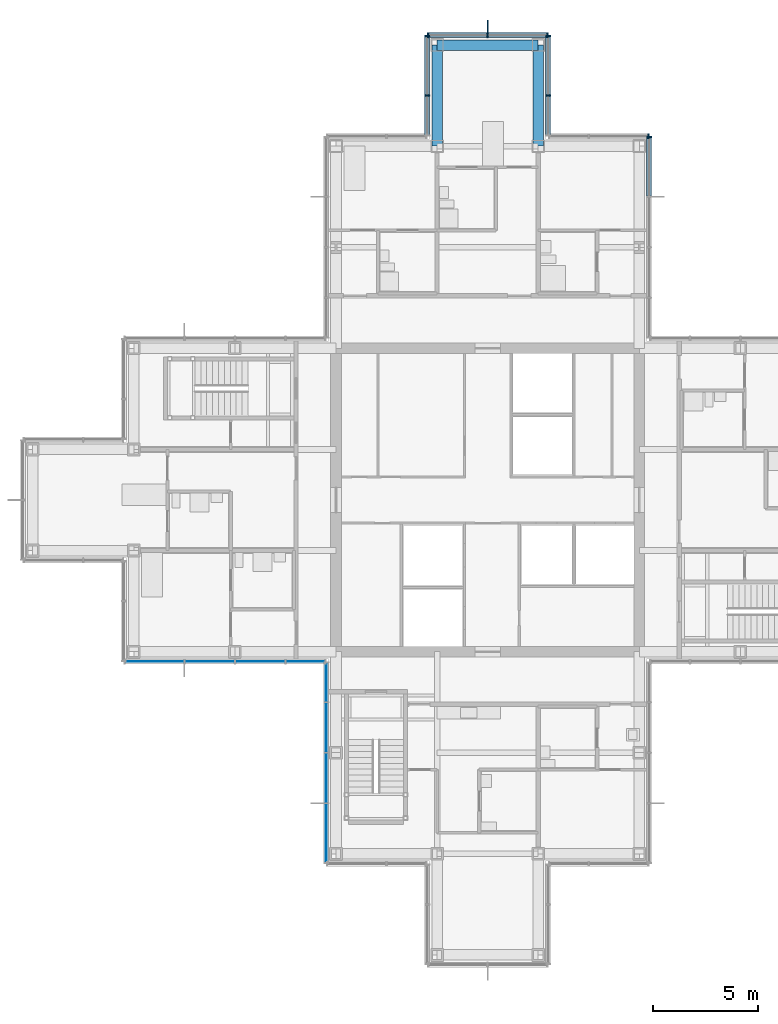
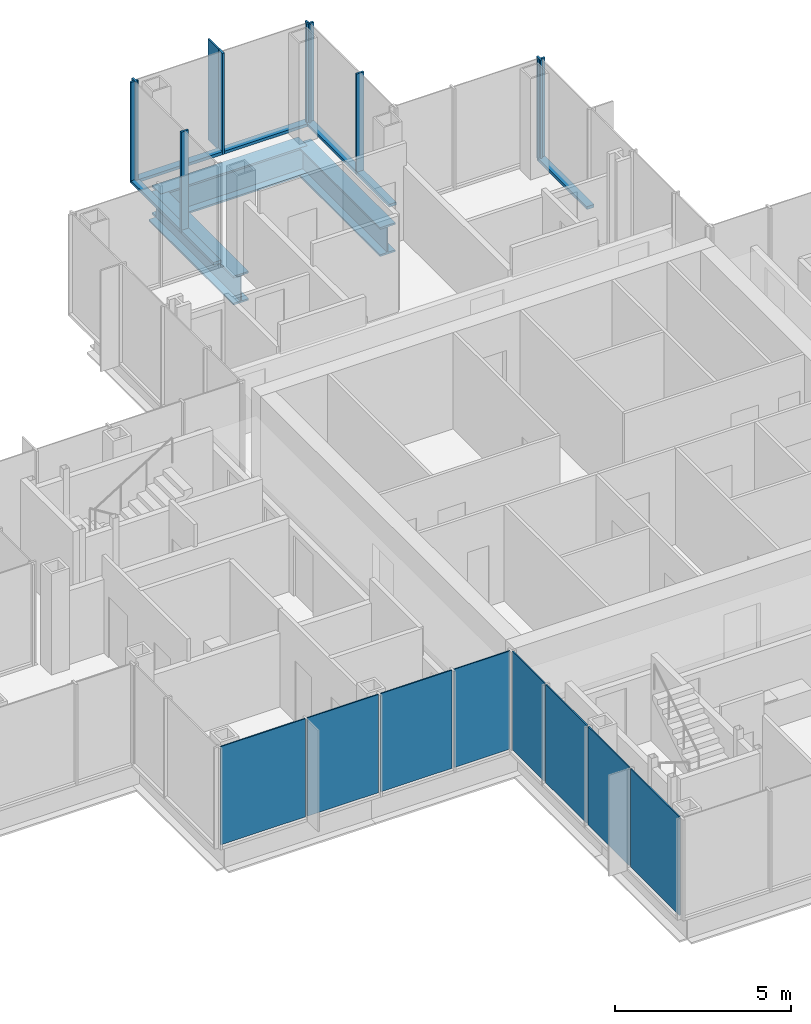
# One storey, part 9 of 17: 17 members, 8 plates, 3 beams, 7 elements without a shape of their own.
"""IFC4 building model written with IfcOpenShell, lengths in metres."""

import ifcopenshell
import ifcopenshell.guid

model = None  # the IFC model being written
_history = None  # IfcOwnerHistory: only IFC2X3 demands one
_inside = {}  # id of a spatial element -> (the spatial element, [elements in it])
_under = {}  # id of a project, library or spatial element -> (it, [spatial elements below it])
_declared = {}  # id of a project -> (the project, [libraries it declares])
_typed = {}  # id of a type object -> (the type object, [elements of that type])
_made_of = {}  # id of a material, layer set ... -> (it, [elements and type objects made of it])


def new_model(schema):
    """Start an empty IFC model of exactly this schema.

    Asked for "IFC4X3", IfcOpenShell would pick the latest addendum, in which some entities
    have other attributes; the version numbers below select the first issue.
    IFC2X3 requires an IfcOwnerHistory on every rooted entity: one is made here for all.
    """
    global model, _history
    if schema == "IFC4X3":
        model = ifcopenshell.file(schema_version=(4, 3, 0, 0))
    else:
        model = ifcopenshell.file(schema=schema)
    _inside.clear()
    _under.clear()
    _declared.clear()
    _typed.clear()
    _made_of.clear()
    _history = None
    if model.schema == "IFC2X3":
        org = make("IfcOrganization", Name="unknown")
        user = make(
            "IfcPersonAndOrganization",
            ThePerson=make("IfcPerson", FamilyName="unknown"),
            TheOrganization=org,
        )
        app = make(
            "IfcApplication",
            ApplicationDeveloper=org,
            Version="unknown",
            ApplicationFullName="unknown",
            ApplicationIdentifier="unknown",
        )
        _history = make(
            "IfcOwnerHistory",
            OwningUser=user,
            OwningApplication=app,
            ChangeAction="ADDED",
            CreationDate=0,
        )
    return model


def make(cls, **values):
    """One entity of the class cls with the attributes given. An attribute that is None is left unset."""
    return model.create_entity(
        cls, **{name: value for name, value in values.items() if value is not None}
    )


def rooted(cls, **values):
    """An entity with a GlobalId (a new one), such as an element, a storey or a relation."""
    return make(cls, GlobalId=ifcopenshell.guid.new(), OwnerHistory=_history, **values)


def si_unit(unit_type, name, prefix=None):
    """IfcSIUnit, for example si_unit("LENGTHUNIT", "METRE", prefix="MILLI")."""
    return make("IfcSIUnit", UnitType=unit_type, Prefix=prefix, Name=name)


def assignment(units):
    """IfcUnitAssignment: the units of a project."""
    return None if units is None else make("IfcUnitAssignment", Units=units)


def point(xyz):
    """IfcCartesianPoint."""
    return None if xyz is None else make("IfcCartesianPoint", Coordinates=xyz)


def direction(xyz):
    """IfcDirection."""
    return None if xyz is None else make("IfcDirection", DirectionRatios=xyz)


def frame(location, z_axis=None, x_axis=None):
    """IfcAxis2Placement3D, a coordinate frame: its origin and axes. An axis left out is left unset."""
    return make(
        "IfcAxis2Placement3D",
        Location=point(location),
        Axis=direction(z_axis),
        RefDirection=direction(x_axis),
    )


def frame_2d(location, x_axis=None):
    """IfcAxis2Placement2D, a coordinate frame in the plane: its origin and x axis."""
    return make(
        "IfcAxis2Placement2D", Location=point(location), RefDirection=direction(x_axis)
    )


def origin():
    """The frame at (0, 0, 0) with its axes left unset."""
    return frame((0.0, 0.0, 0.0))


def origin_2d():
    """The frame at (0, 0) in the plane with its x axis left unset."""
    return frame_2d((0.0, 0.0))


def place(relative_to, where):
    """IfcLocalPlacement: puts the frame where relative to a parent placement (None: the world)."""
    return make(
        "IfcLocalPlacement", PlacementRelTo=relative_to, RelativePlacement=where
    )


def context(
    kind, dimensions, precision=None, world=None, true_north=None, identifier=None
):
    """IfcGeometricRepresentationContext, for example the 3D "Model" context."""
    return make(
        "IfcGeometricRepresentationContext",
        ContextIdentifier=identifier,
        ContextType=kind,
        CoordinateSpaceDimension=dimensions,
        Precision=precision,
        WorldCoordinateSystem=world,
        TrueNorth=true_north,
    )


def subcontext(parent, identifier, kind, view, scale=None):
    """IfcGeometricRepresentationSubContext, for example "Body" below "Model"."""
    return make(
        "IfcGeometricRepresentationSubContext",
        ContextIdentifier=identifier,
        ContextType=kind,
        ParentContext=parent,
        TargetScale=scale,
        TargetView=view,
    )


def project(units=None, contexts=None):
    """IfcProject with its units and contexts."""
    return rooted(
        "IfcProject",
        Name="project",
        RepresentationContexts=contexts,
        UnitsInContext=assignment(units),
    )


def spatial(cls, under=None, at=None, **own):
    """A site, building, storey or space (cls), placed at a placement, below another one or the project."""
    s = rooted(cls, ObjectPlacement=at, **own)
    if under is not None:
        _under.setdefault(under.id(), (under, []))[1].append(s)
    return s


def profile(cls, at=None, kind="AREA", **sizes):
    """A parametric profile (cls). Its sizes go by their IFC names, for example OverallWidth=200.0."""
    return make(cls, ProfileType=kind, Position=at, **sizes)


def rectangle(**sizes):
    """IfcRectangleProfileDef."""
    return profile("IfcRectangleProfileDef", **sizes)


def i_section(**sizes):
    """IfcIShapeProfileDef."""
    return profile("IfcIShapeProfileDef", **sizes)


def extrude(swept, where, along, depth):
    """IfcExtrudedAreaSolid: the profile swept, set in the frame where, extruded along a direction by depth."""
    return make(
        "IfcExtrudedAreaSolid",
        SweptArea=swept,
        Position=where,
        ExtrudedDirection=direction(along),
        Depth=depth,
    )


def shape(context_of_items, identifier, shape_type, items):
    """IfcShapeRepresentation: the items that make up one representation, for example the "Body"."""
    return make(
        "IfcShapeRepresentation",
        ContextOfItems=context_of_items,
        RepresentationIdentifier=identifier,
        RepresentationType=shape_type,
        Items=items,
    )


def material(Name=None, Category=None):
    """IfcMaterial."""
    return make("IfcMaterial", Name=Name, Category=Category)


def layer(
    of_material, thickness, ventilated=None, Name=None, Category=None, Priority=None
):
    """IfcMaterialLayer: one layer of a wall or slab, of a material (None: an air gap)."""
    return make(
        "IfcMaterialLayer",
        Material=of_material,
        LayerThickness=thickness,
        IsVentilated=ventilated,
        Name=Name,
        Category=Category,
        Priority=Priority,
    )


def layer_set(layers, Name=None):
    """IfcMaterialLayerSet."""
    return make("IfcMaterialLayerSet", MaterialLayers=layers, LayerSetName=Name)


def material_profile(
    of_material, cross_section, Name=None, Category=None, Priority=None
):
    """IfcMaterialProfile: a cross section and its material."""
    return make(
        "IfcMaterialProfile",
        Name=Name,
        Material=of_material,
        Profile=cross_section,
        Priority=Priority,
        Category=Category,
    )


def profile_set(profiles, Name=None, composite=None):
    """IfcMaterialProfileSet."""
    return make(
        "IfcMaterialProfileSet",
        Name=Name,
        MaterialProfiles=profiles,
        CompositeProfile=composite,
    )


def made_of(thing, what):
    """Note that an element or type object is made of a material, layer set ...; save() writes the relation."""
    if what is not None:
        _made_of.setdefault(what.id(), (what, []))[1].append(thing)
    return thing


def type_object(cls, material=None, **own):
    """A type object (cls), such as IfcWallType, which elements share."""
    return made_of(rooted(cls, **own), material)


def element(
    cls,
    number,
    at=None,
    inside=None,
    cuts=None,
    type_object=None,
    material=None,
    context=None,
    identifier="Body",
    shape_type=None,
    held_by="IfcProductDefinitionShape",
    body=None,
    shapes=None,
    **own,
):
    """One element of the class cls, such as IfcWall. Its Tag is "e" and its number.

    at: its placement. inside: the storey or other place that contains it. cuts: it is an
    opening in that element (IfcRelVoidsElement). A single representation is given by context,
    identifier, shape_type and body (its items); several are given by shapes. held_by: the class
    of the entity that holds the representations. save() writes the other relations.
    """
    e = rooted(cls, Tag="e%d" % number, ObjectPlacement=at, **own)
    if body is not None:
        shapes = [shape(context, identifier, shape_type, body)]
    if shapes is not None:
        e.Representation = make(held_by, Representations=shapes)
    if inside is not None:
        _inside.setdefault(inside.id(), (inside, []))[1].append(e)
    if cuts is not None:
        rooted(
            "IfcRelVoidsElement", RelatingBuildingElement=cuts, RelatedOpeningElement=e
        )
    if type_object is not None:
        _typed.setdefault(type_object.id(), (type_object, []))[1].append(e)
    return made_of(e, material)


def aggregate(whole, parts):
    """IfcRelAggregates: a whole, such as a stair, and the parts it consists of."""
    return rooted("IfcRelAggregates", RelatingObject=whole, RelatedObjects=parts)


def save(model, path):
    """Write the relations noted so far, then the file.

    IfcRelAggregates (storeys below a building ...), IfcRelContainedInSpatialStructure (elements
    in a storey), IfcRelDefinesByType, IfcRelAssociatesMaterial and IfcRelDeclares: one each for
    every whole, place, type object, material and project.
    """
    for whole, parts in _under.values():
        aggregate(whole, parts)
    for where, things in _inside.values():
        rooted(
            "IfcRelContainedInSpatialStructure",
            RelatedElements=things,
            RelatingStructure=where,
        )
    for kind, things in _typed.values():
        rooted("IfcRelDefinesByType", RelatedObjects=things, RelatingType=kind)
    for what, things in _made_of.values():
        rooted("IfcRelAssociatesMaterial", RelatedObjects=things, RelatingMaterial=what)
    for by, libraries in _declared.values():
        rooted("IfcRelDeclares", RelatingContext=by, RelatedDefinitions=libraries)
    model.write(path)


model = new_model("IFC4")

# Units and contexts
model_context = context("Model", 3, precision=1e-05, world=origin(), true_north=direction((0.0, 1.0)))
body_context = subcontext(model_context, "Body", "Model", "MODEL_VIEW")
ifc_project = project(units=[si_unit("LENGTHUNIT", "METRE"), si_unit("AREAUNIT", "SQUARE_METRE"), si_unit("VOLUMEUNIT", "CUBIC_METRE"), si_unit("PLANEANGLEUNIT", "RADIAN"), si_unit("MASSUNIT", "GRAM", prefix="KILO")], contexts=[model_context])

# Site, building, storey
site_placement = place(None, origin())
site = spatial("IfcSite", under=ifc_project, at=site_placement, CompositionType="ELEMENT")
building_placement = place(site_placement, origin())
building = spatial("IfcBuilding", under=site, at=building_placement, Name="Kvirike Care Tower", CompositionType="ELEMENT")
storey_placement = place(building_placement, frame((0.0, 0.0, 144.5)))
storey = spatial("IfcBuildingStorey", under=building, at=storey_placement, Name="L39", CompositionType="ELEMENT", Elevation=144.5)

# Curtain wall, member
ifc_material_1 = material(Name="Anodised aluminium stick system", Category="aluminium")
curtain_wall_type = type_object("IfcCurtainWallType", Name="CW-C STICK CURTAIN WALL", PredefinedType="NOTDEFINED", material=ifc_material_1)
curtain_wall_1_placement = place(storey_placement, origin())
curtain_wall_1 = element("IfcCurtainWall", 1, at=curtain_wall_1_placement, inside=storey, type_object=curtain_wall_type, Name="Curtain wall L39 face 11", PredefinedType="NOTDEFINED")
ifc_material_2 = material(Name="Bronze anodised aluminium fin", Category="aluminium")
ifc_material_profile_1 = material_profile(ifc_material_2, rectangle(XDim=0.050048828125, YDim=0.60009765625, at=origin_2d()), Name="BRONZE FIN 600")
ifc_profile_set_1 = profile_set([ifc_material_profile_1], Name="Bronze anodised aluminium fin")
member_type_1 = type_object("IfcMemberType", Name="BRONZE FIN 600", PredefinedType="USERDEFINED", material=ifc_profile_set_1)
member_1_placement = place(storey_placement, frame((21.60009765625, 58.489990234375, 0.0), z_axis=(0.0, 0.0, 1.0), x_axis=(-1.0, 0.0, 0.0)))
member_1 = element("IfcMember", 2, at=member_1_placement, type_object=member_type_1, Name="Bronze fin L39 face 11.2", ObjectType="FIN", PredefinedType="USERDEFINED", context=body_context, shape_type="SweptSolid", body=[
    extrude(rectangle(XDim=0.050048828125, YDim=0.60009765625, at=origin_2d()), origin(), (0.0, 0.0, 1.0), 3.5),
])

curtain_wall_2_placement = place(storey_placement, origin())
curtain_wall_2 = element("IfcCurtainWall", 3, at=curtain_wall_2_placement, inside=storey, type_object=curtain_wall_type, Name="Curtain wall L39 face 8", PredefinedType="NOTDEFINED")
ifc_material_3 = material(Name="Bronze anodised aluminium mullion", Category="aluminium")
ifc_material_profile_2 = material_profile(ifc_material_3, rectangle(XDim=0.06494140625, YDim=0.239990234375, at=origin_2d()), Name="CW-C MULLION 65x240")
ifc_profile_set_2 = profile_set([ifc_material_profile_2], Name="Bronze anodised aluminium mullion")
member_type_2 = type_object("IfcMemberType", Name="CW-C MULLION 65x240", PredefinedType="MULLION", material=ifc_profile_set_2)
member_2_placement = place(storey_placement, frame((29.27001953125, 53.237548828125, 0.0), z_axis=(0.0, 0.0, 1.0), x_axis=(0.0, 1.0, 0.0)))
member_2 = element("IfcMember", 4, at=member_2_placement, type_object=member_type_2, Name="CW-C mullion L39 face 8.5", PredefinedType="MULLION", context=body_context, shape_type="SweptSolid", body=[
    extrude(rectangle(XDim=0.06494140625, YDim=0.239990234375, at=origin_2d()), origin(), (0.0, 0.0, 1.0), 3.5),
])

curtain_wall_3_placement = place(storey_placement, origin())
curtain_wall_3 = element("IfcCurtainWall", 5, at=curtain_wall_3_placement, inside=storey, type_object=curtain_wall_type, Name="Curtain wall L39 face 9", PredefinedType="NOTDEFINED")
member_3_placement = place(storey_placement, frame((29.237548828125, 53.27001953125, 0.0), z_axis=(0.0, 0.0, 1.0), x_axis=(-1.0, 0.0, 0.0)))
member_3 = element("IfcMember", 6, at=member_3_placement, type_object=member_type_2, Name="CW-C mullion L39 face 9.1", PredefinedType="MULLION", context=body_context, shape_type="SweptSolid", body=[
    extrude(rectangle(XDim=0.06494140625, YDim=0.239990234375, at=origin_2d()), origin(), (0.0, 0.0, 1.0), 3.5),
])
aggregate(curtain_wall_3, [member_3])

# Curtain wall, members
curtain_wall_4_placement = place(storey_placement, origin())
curtain_wall_4 = element("IfcCurtainWall", 7, at=curtain_wall_4_placement, inside=storey, type_object=curtain_wall_type, Name="Curtain wall L39 face 10", PredefinedType="NOTDEFINED")
member_4_placement = place(storey_placement, frame((24.469970703125, 55.199951171875, 0.0), z_axis=(0.0, 0.0, 1.0), x_axis=(0.0, 1.0, 0.0)))
member_4 = element("IfcMember", 8, at=member_4_placement, type_object=member_type_2, Name="CW-C mullion L39 face 10.2", PredefinedType="MULLION", context=body_context, shape_type="SweptSolid", body=[
    extrude(rectangle(XDim=0.06494140625, YDim=0.239990234375, at=origin_2d()), origin(), (0.0, 0.0, 1.0), 3.5),
])
member_5_placement = place(storey_placement, frame((24.469970703125, 58.03759765625, 0.0), z_axis=(0.0, 0.0, 1.0), x_axis=(0.0, 1.0, 0.0)))
member_5 = element("IfcMember", 9, at=member_5_placement, type_object=member_type_2, Name="CW-C mullion L39 face 10.3", PredefinedType="MULLION", context=body_context, shape_type="SweptSolid", body=[
    extrude(rectangle(XDim=0.06494140625, YDim=0.239990234375, at=origin_2d()), origin(), (0.0, 0.0, 1.0), 3.5),
])

# Member
member_6_placement = place(storey_placement, frame((24.4375, 58.070068359375, 0.0), z_axis=(0.0, 0.0, 1.0), x_axis=(-1.0, 0.0, 0.0)))
member_6 = element("IfcMember", 10, at=member_6_placement, type_object=member_type_2, Name="CW-C mullion L39 face 11.1", PredefinedType="MULLION", context=body_context, shape_type="SweptSolid", body=[
    extrude(rectangle(XDim=0.06494140625, YDim=0.239990234375, at=origin_2d()), origin(), (0.0, 0.0, 1.0), 3.5),
])

member_7_placement = place(storey_placement, frame((21.60009765625, 58.070068359375, 0.0), z_axis=(0.0, 0.0, 1.0), x_axis=(-1.0, 0.0, 0.0)))
member_7 = element("IfcMember", 11, at=member_7_placement, type_object=member_type_2, Name="CW-C mullion L39 face 11.2", PredefinedType="MULLION", context=body_context, shape_type="SweptSolid", body=[
    extrude(rectangle(XDim=0.06494140625, YDim=0.239990234375, at=origin_2d()), origin(), (0.0, 0.0, 1.0), 3.5),
])

member_8_placement = place(storey_placement, frame((18.762451171875, 58.070068359375, 0.0), z_axis=(0.0, 0.0, 1.0), x_axis=(-1.0, 0.0, 0.0)))
member_8 = element("IfcMember", 12, at=member_8_placement, type_object=member_type_2, Name="CW-C mullion L39 face 11.3", PredefinedType="MULLION", context=body_context, shape_type="SweptSolid", body=[
    extrude(rectangle(XDim=0.06494140625, YDim=0.239990234375, at=origin_2d()), origin(), (0.0, 0.0, 1.0), 3.5),
])

# Curtain wall, members
curtain_wall_5_placement = place(storey_placement, origin())
curtain_wall_5 = element("IfcCurtainWall", 13, at=curtain_wall_5_placement, inside=storey, type_object=curtain_wall_type, Name="Curtain wall L39 face 12", PredefinedType="NOTDEFINED")
member_9_placement = place(storey_placement, frame((18.72998046875, 58.03759765625, 0.0), z_axis=(0.0, 0.0, 1.0), x_axis=(0.0, -1.0, 0.0)))
member_9 = element("IfcMember", 14, at=member_9_placement, type_object=member_type_2, Name="CW-C mullion L39 face 12.1", PredefinedType="MULLION", context=body_context, shape_type="SweptSolid", body=[
    extrude(rectangle(XDim=0.06494140625, YDim=0.239990234375, at=origin_2d()), origin(), (0.0, 0.0, 1.0), 3.5),
])
member_10_placement = place(storey_placement, frame((18.72998046875, 55.199951171875, 0.0), z_axis=(0.0, 0.0, 1.0), x_axis=(0.0, -1.0, 0.0)))
member_10 = element("IfcMember", 15, at=member_10_placement, type_object=member_type_2, Name="CW-C mullion L39 face 12.2", PredefinedType="MULLION", context=body_context, shape_type="SweptSolid", body=[
    extrude(rectangle(XDim=0.06494140625, YDim=0.239990234375, at=origin_2d()), origin(), (0.0, 0.0, 1.0), 3.5),
])

# Member
ifc_material_4 = material(Name="Bronze anodised aluminium transom", Category="aluminium")
ifc_material_profile_3 = material_profile(ifc_material_4, rectangle(XDim=0.239990234375, YDim=0.10009765625, at=origin_2d()), Name="CW-C TRANSOM 240x100")
ifc_profile_set_3 = profile_set([ifc_material_profile_3], Name="Bronze anodised aluminium transom")
member_type_3 = type_object("IfcMemberType", Name="CW-C TRANSOM 240x100", PredefinedType="USERDEFINED", material=ifc_profile_set_3)
member_11_placement = place(storey_placement, frame((29.27001953125, 50.4326171875, 0.050048828125), z_axis=(0.0, 1.0, 0.0), x_axis=(-1.0, 0.0, 0.0)))
member_11 = element("IfcMember", 16, at=member_11_placement, type_object=member_type_3, Name="CW-C sill transom L39 face 8.4", ObjectType="TRANSOM", PredefinedType="USERDEFINED", context=body_context, shape_type="SweptSolid", body=[
    extrude(rectangle(XDim=0.239990234375, YDim=0.10009765625, at=origin_2d()), origin(), (0.0, 0.0, 1.0), 2.7724609375),
])

aggregate(curtain_wall_2, [member_2, member_11])

member_12_placement = place(storey_placement, frame((24.469970703125, 53.3349609375, 0.050048828125), z_axis=(0.0, 1.0, 0.0), x_axis=(-1.0, 0.0, 0.0)))
member_12 = element("IfcMember", 17, at=member_12_placement, type_object=member_type_3, Name="CW-C sill transom L39 face 10.1", ObjectType="TRANSOM", PredefinedType="USERDEFINED", context=body_context, shape_type="SweptSolid", body=[
    extrude(rectangle(XDim=0.239990234375, YDim=0.10009765625, at=origin_2d()), origin(), (0.0, 0.0, 1.0), 1.83251953125),
])

member_13_placement = place(storey_placement, frame((24.469970703125, 55.232421875, 0.050048828125), z_axis=(0.0, 1.0, 0.0), x_axis=(-1.0, 0.0, 0.0)))
member_13 = element("IfcMember", 18, at=member_13_placement, type_object=member_type_3, Name="CW-C sill transom L39 face 10.2", ObjectType="TRANSOM", PredefinedType="USERDEFINED", context=body_context, shape_type="SweptSolid", body=[
    extrude(rectangle(XDim=0.239990234375, YDim=0.10009765625, at=origin_2d()), origin(), (0.0, 0.0, 1.0), 2.7724609375),
])

aggregate(curtain_wall_4, [member_4, member_5, member_12, member_13])

member_14_placement = place(storey_placement, frame((24.405029296875, 58.070068359375, 0.050048828125), z_axis=(-1.0, 0.0, 0.0), x_axis=(0.0, -1.0, 0.0)))
member_14 = element("IfcMember", 19, at=member_14_placement, type_object=member_type_3, Name="CW-C sill transom L39 face 11.1", ObjectType="TRANSOM", PredefinedType="USERDEFINED", context=body_context, shape_type="SweptSolid", body=[
    extrude(rectangle(XDim=0.239990234375, YDim=0.10009765625, at=origin_2d()), origin(), (0.0, 0.0, 1.0), 2.7724609375),
])

member_15_placement = place(storey_placement, frame((21.5673828125, 58.070068359375, 0.050048828125), z_axis=(-1.0, 0.0, 0.0), x_axis=(0.0, -1.0, 0.0)))
member_15 = element("IfcMember", 20, at=member_15_placement, type_object=member_type_3, Name="CW-C sill transom L39 face 11.2", ObjectType="TRANSOM", PredefinedType="USERDEFINED", context=body_context, shape_type="SweptSolid", body=[
    extrude(rectangle(XDim=0.239990234375, YDim=0.10009765625, at=origin_2d()), origin(), (0.0, 0.0, 1.0), 2.7724609375),
])

aggregate(curtain_wall_1, [member_6, member_7, member_1, member_8, member_14, member_15])

member_16_placement = place(storey_placement, frame((18.72998046875, 58.0048828125, 0.050048828125), z_axis=(0.0, -1.0, 0.0), x_axis=(1.0, 0.0, 0.0)))
member_16 = element("IfcMember", 21, at=member_16_placement, type_object=member_type_3, Name="CW-C sill transom L39 face 12.1", ObjectType="TRANSOM", PredefinedType="USERDEFINED", context=body_context, shape_type="SweptSolid", body=[
    extrude(rectangle(XDim=0.239990234375, YDim=0.10009765625, at=origin_2d()), origin(), (0.0, 0.0, 1.0), 2.7724609375),
])

member_17_placement = place(storey_placement, frame((18.72998046875, 55.16748046875, 0.050048828125), z_axis=(0.0, -1.0, 0.0), x_axis=(1.0, 0.0, 0.0)))
member_17 = element("IfcMember", 22, at=member_17_placement, type_object=member_type_3, Name="CW-C sill transom L39 face 12.2", ObjectType="TRANSOM", PredefinedType="USERDEFINED", context=body_context, shape_type="SweptSolid", body=[
    extrude(rectangle(XDim=0.239990234375, YDim=0.10009765625, at=origin_2d()), origin(), (0.0, 0.0, 1.0), 1.83251953125),
])

aggregate(curtain_wall_5, [member_9, member_10, member_16, member_17])

# Beams
ifc_material_5 = material(Name="Steel S355", Category="steel")
ifc_material_profile_4 = material_profile(ifc_material_5, i_section(OverallWidth=0.5, OverallDepth=1.0, WebThickness=0.030029296875, FlangeThickness=0.06005859375, at=origin_2d()), Name="PG 1000x500x30x60")
ifc_profile_set_4 = profile_set([ifc_material_profile_4], Name="Steel S355")
beam_type = type_object("IfcBeamType", Name="SPANDREL PG 1000x500x30x60", PredefinedType="SPANDREL", material=ifc_profile_set_4)
for number, where, z_axis, x_axis, name in (
    (23, (19.199951171875, 57.60009765625, -0.669921875), (1.0, 0.0, 0.0), (0.0, 1.0, 0.0), "Spandrel N7-N8 L39"),
    (24, (19.199951171875, 52.800048828125, -0.669921875), (0.0, 1.0, 0.0), (-1.0, 0.0, 0.0), "Spandrel M7-N7 L39"),
    (25, (24.0, 52.800048828125, -0.669921875), (0.0, 1.0, 0.0), (-1.0, 0.0, 0.0), "Spandrel M8-N8 L39"),
):
    element("IfcBeam", number, at=place(storey_placement, frame(where, z_axis=z_axis, x_axis=x_axis)), inside=storey, type_object=beam_type, Name=name, PredefinedType="SPANDREL", context=body_context, shape_type="SweptSolid", body=[
        extrude(i_section(OverallWidth=0.5, OverallDepth=1.0, WebThickness=0.030029296875, FlangeThickness=0.06005859375, at=origin_2d()), origin(), (0.0, 0.0, 1.0), 4.800048828125),
    ])

# Curtain wall, plates
curtain_wall_6_placement = place(storey_placement, origin())
curtain_wall_6 = element("IfcCurtainWall", 26, at=curtain_wall_6_placement, inside=storey, type_object=curtain_wall_type, Name="Curtain wall L39 face 21", PredefinedType="NOTDEFINED")
ifc_material_6 = material(Name="Tinted double glazed unit", Category="glass")
ifc_layer = layer(ifc_material_6, 0.0400390625)
ifc_layer_set = layer_set([ifc_layer], Name="TINTED VISION PANEL 40")
plate_type = type_object("IfcPlateType", Name="TINTED VISION PANEL 40", PredefinedType="CURTAIN_PANEL", material=ifc_layer_set)
plate_1_placement = place(storey_placement, frame((5.78125, 28.330078125, 0.10009765625), z_axis=(0.0, 0.0, 1.0), x_axis=(1.0, 0.0, 0.0)))
plate_1 = element("IfcPlate", 27, at=plate_1_placement, type_object=plate_type, Name="CW-C panel L39 face 21.1", PredefinedType="CURTAIN_PANEL", context=body_context, shape_type="SweptSolid", body=[
    extrude(rectangle(XDim=2.7724609375, YDim=0.0400390625, at=origin_2d()), origin(), (0.0, 0.0, 1.0), 3.39990234375),
])
plate_2_placement = place(storey_placement, frame((8.39990234375, 28.330078125, 0.10009765625), z_axis=(0.0, 0.0, 1.0), x_axis=(1.0, 0.0, 0.0)))
plate_2 = element("IfcPlate", 28, at=plate_2_placement, type_object=plate_type, Name="CW-C panel L39 face 21.2", PredefinedType="CURTAIN_PANEL", context=body_context, shape_type="SweptSolid", body=[
    extrude(rectangle(XDim=2.3349609375, YDim=0.0400390625, at=origin_2d()), origin(), (0.0, 0.0, 1.0), 3.39990234375),
])
plate_3_placement = place(storey_placement, frame((10.800048828125, 28.330078125, 0.10009765625), z_axis=(0.0, 0.0, 1.0), x_axis=(1.0, 0.0, 0.0)))
plate_3 = element("IfcPlate", 29, at=plate_3_placement, type_object=plate_type, Name="CW-C panel L39 face 21.3", PredefinedType="CURTAIN_PANEL", context=body_context, shape_type="SweptSolid", body=[
    extrude(rectangle(XDim=2.3349609375, YDim=0.0400390625, at=origin_2d()), origin(), (0.0, 0.0, 1.0), 3.39990234375),
])
plate_4_placement = place(storey_placement, frame((12.94873046875, 28.330078125, 0.10009765625), z_axis=(0.0, 0.0, 1.0), x_axis=(1.0, 0.0, 0.0)))
plate_4 = element("IfcPlate", 30, at=plate_4_placement, type_object=plate_type, Name="CW-C panel L39 face 21.4", PredefinedType="CURTAIN_PANEL", context=body_context, shape_type="SweptSolid", body=[
    extrude(rectangle(XDim=1.83251953125, YDim=0.0400390625, at=origin_2d()), origin(), (0.0, 0.0, 1.0), 3.39990234375),
])
aggregate(curtain_wall_6, [plate_1, plate_2, plate_3, plate_4])

curtain_wall_7_placement = place(storey_placement, origin())
curtain_wall_7 = element("IfcCurtainWall", 31, at=curtain_wall_7_placement, inside=storey, type_object=curtain_wall_type, Name="Curtain wall L39 face 22", PredefinedType="NOTDEFINED")
plate_5_placement = place(storey_placement, frame((13.929931640625, 27.3486328125, 0.10009765625), z_axis=(0.0, 0.0, 1.0), x_axis=(0.0, -1.0, 0.0)))
plate_5 = element("IfcPlate", 32, at=plate_5_placement, type_object=plate_type, Name="CW-C panel L39 face 22.1", PredefinedType="CURTAIN_PANEL", context=body_context, shape_type="SweptSolid", body=[
    extrude(rectangle(XDim=1.83251953125, YDim=0.0400390625, at=origin_2d()), origin(), (0.0, 0.0, 1.0), 3.39990234375),
])
plate_6_placement = place(storey_placement, frame((13.929931640625, 25.199951171875, 0.10009765625), z_axis=(0.0, 0.0, 1.0), x_axis=(0.0, -1.0, 0.0)))
plate_6 = element("IfcPlate", 33, at=plate_6_placement, type_object=plate_type, Name="CW-C panel L39 face 22.2", PredefinedType="CURTAIN_PANEL", context=body_context, shape_type="SweptSolid", body=[
    extrude(rectangle(XDim=2.3349609375, YDim=0.0400390625, at=origin_2d()), origin(), (0.0, 0.0, 1.0), 3.39990234375),
])
plate_7_placement = place(storey_placement, frame((13.929931640625, 22.800048828125, 0.10009765625), z_axis=(0.0, 0.0, 1.0), x_axis=(0.0, -1.0, 0.0)))
plate_7 = element("IfcPlate", 34, at=plate_7_placement, type_object=plate_type, Name="CW-C panel L39 face 22.3", PredefinedType="CURTAIN_PANEL", context=body_context, shape_type="SweptSolid", body=[
    extrude(rectangle(XDim=2.3349609375, YDim=0.0400390625, at=origin_2d()), origin(), (0.0, 0.0, 1.0), 3.39990234375),
])
plate_8_placement = place(storey_placement, frame((13.929931640625, 20.18115234375, 0.10009765625), z_axis=(0.0, 0.0, 1.0), x_axis=(0.0, -1.0, 0.0)))
plate_8 = element("IfcPlate", 35, at=plate_8_placement, type_object=plate_type, Name="CW-C panel L39 face 22.4", PredefinedType="CURTAIN_PANEL", context=body_context, shape_type="SweptSolid", body=[
    extrude(rectangle(XDim=2.7724609375, YDim=0.0400390625, at=origin_2d()), origin(), (0.0, 0.0, 1.0), 3.39990234375),
])
aggregate(curtain_wall_7, [plate_5, plate_6, plate_7, plate_8])

save(model, "model.ifc")
